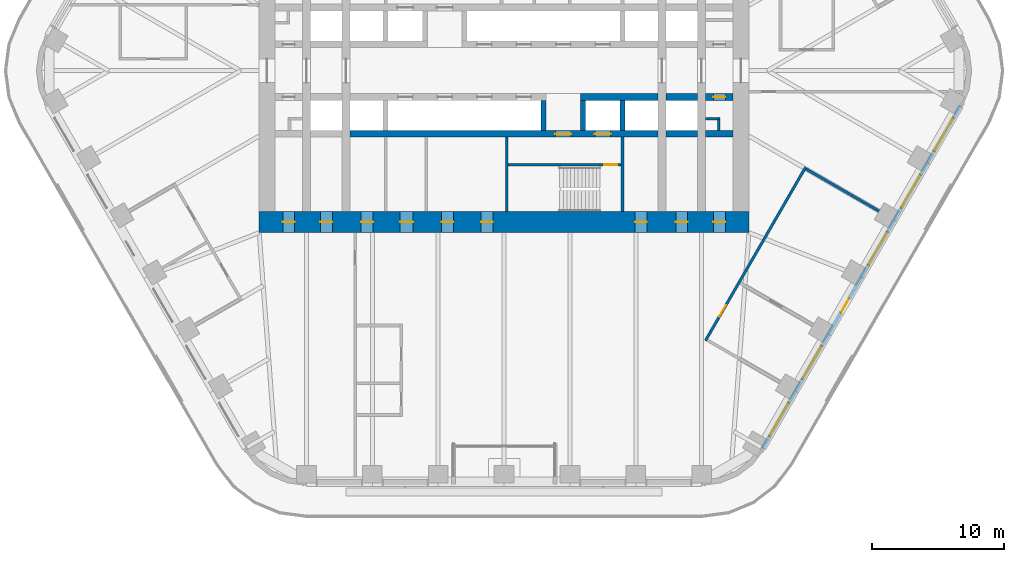
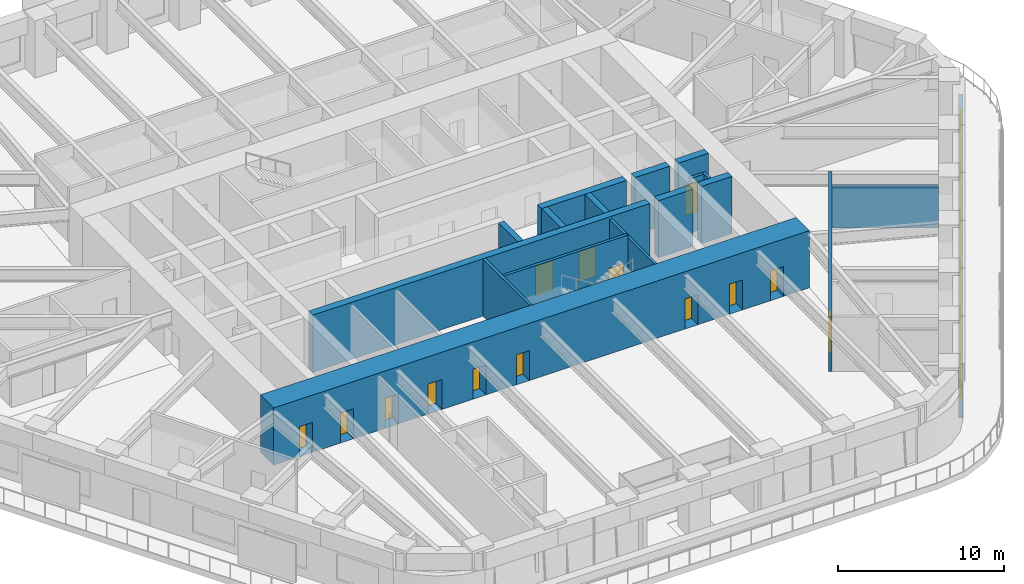
# One storey, part 18 of 24: 18 walls, 15 doors, 5 windows, 20 openings.
"""IFC4 building model written with IfcOpenShell, lengths in metres."""

from ifc_helpers import new_model, si_unit, direction, frame, frame_2d, origin, place, context, subcontext, project, spatial, rectangle, extrude, material, layer, layer_set, type_object, element, fill, save


model = new_model("IFC4")

# Units and contexts
model_context = context("Model", 3, precision=1e-05, world=origin(), true_north=direction((0.0, 1.0)))
body_context = subcontext(model_context, "Body", "Model", "MODEL_VIEW")
ifc_project = project(units=[si_unit("LENGTHUNIT", "METRE"), si_unit("AREAUNIT", "SQUARE_METRE"), si_unit("VOLUMEUNIT", "CUBIC_METRE"), si_unit("PLANEANGLEUNIT", "RADIAN"), si_unit("MASSUNIT", "GRAM", prefix="KILO")], contexts=[model_context])

# Site, building, storey
site_placement = place(None, origin())
site = spatial("IfcSite", under=ifc_project, at=site_placement, CompositionType="ELEMENT")
building_placement = place(site_placement, origin())
building = spatial("IfcBuilding", under=site, at=building_placement, Name="Tarfa Lantern Tower", CompositionType="ELEMENT")
storey_placement = place(building_placement, frame((0.0, 0.0, 186.699951171875)))
storey = spatial("IfcBuildingStorey", under=building, at=storey_placement, Name="L42", CompositionType="ELEMENT", Elevation=186.699951171875)

# Wall, openings, door, windows
ifc_material_1 = material(Name="Limestone cladding on blockwork", Category="masonry")
ifc_layer_1 = layer(ifc_material_1, 0.300048828125)
ifc_layer_set_1 = layer_set([ifc_layer_1], Name="EW1 STONE-CLAD WALL 300")
wall_type_1 = type_object("IfcWallType", Name="EW1 STONE-CLAD WALL 300", PredefinedType="SOLIDWALL", material=ifc_layer_set_1)
wall_1_placement = place(storey_placement, frame((19.644287109375, -28.675048828125, 0.0), z_axis=(0.0, 0.0, 1.0), x_axis=(0.500003084452, 0.866023622968, 0.0)))
wall_1 = element("IfcWall", 1, at=wall_1_placement, inside=storey, type_object=wall_type_1, Name="Stone wall SE", PredefinedType="SOLIDWALL", context=body_context, shape_type="SweptSolid", body=[
    extrude(rectangle(XDim=30.022216796875, YDim=0.300048828125, at=frame_2d((15.01123046875, 0.0))), origin(), (0.0, 0.0, 1.0), 2.75),
])
opening_1_placement = place(wall_1_placement, frame((1.0517578125, 0.0, 0.60009765625)))
opening_1 = element("IfcOpeningElement", 2, at=opening_1_placement, cuts=wall_1, Name="Opening W9", PredefinedType="OPENING", context=body_context, shape_type="SweptSolid", body=[
    extrude(rectangle(XDim=2.89990234375, YDim=1.89990234375, at=frame_2d((1.449951171875, 0.949951171875))), frame((0.0, 0.159912109375, 0.0), z_axis=(0.0, -1.0, 0.0), x_axis=(1.0, 0.0, 0.0)), (0.0, 0.0, 1.0), 0.320068359375),
])
opening_2_placement = place(wall_1_placement, frame((6.0556640625, 0.0, 0.60009765625)))
opening_2 = element("IfcOpeningElement", 3, at=opening_2_placement, cuts=wall_1, Name="Opening W9", PredefinedType="OPENING", context=body_context, shape_type="SweptSolid", body=[
    extrude(rectangle(XDim=2.89990234375, YDim=1.89990234375, at=frame_2d((1.449951171875, 0.949951171875))), frame((0.0, 0.159912109375, 0.0), z_axis=(0.0, -1.0, 0.0), x_axis=(1.0, 0.0, 0.0)), (0.0, 0.0, 1.0), 0.320068359375),
])
opening_3_placement = place(wall_1_placement, frame((11.9091796875, 0.0, 0.0)))
opening_3 = element("IfcOpeningElement", 4, at=opening_3_placement, cuts=wall_1, Name="Opening D51", PredefinedType="OPENING", context=body_context, shape_type="SweptSolid", body=[
    extrude(rectangle(XDim=1.199951171875, YDim=2.39990234375, at=frame_2d((0.60009765625, 1.199951171875))), frame((0.0, 0.159912109375, 0.0), z_axis=(0.0, -1.0, 0.0), x_axis=(1.0, 0.0, 0.0)), (0.0, 0.0, 1.0), 0.320068359375),
])
opening_4_placement = place(wall_1_placement, frame((16.06298828125, 0.0, 0.60009765625)))
opening_4 = element("IfcOpeningElement", 5, at=opening_4_placement, cuts=wall_1, Name="Opening W9", PredefinedType="OPENING", context=body_context, shape_type="SweptSolid", body=[
    extrude(rectangle(XDim=2.89990234375, YDim=1.89990234375, at=frame_2d((1.449951171875, 0.949951171875))), frame((0.0, 0.159912109375, 0.0), z_axis=(0.0, -1.0, 0.0), x_axis=(1.0, 0.0, 0.0)), (0.0, 0.0, 1.0), 0.320068359375),
])
opening_5_placement = place(wall_1_placement, frame((21.066650390625, 0.0, 0.60009765625)))
opening_5 = element("IfcOpeningElement", 6, at=opening_5_placement, cuts=wall_1, Name="Opening W9", PredefinedType="OPENING", context=body_context, shape_type="SweptSolid", body=[
    extrude(rectangle(XDim=2.89990234375, YDim=1.89990234375, at=frame_2d((1.449951171875, 0.949951171875))), frame((0.0, 0.159912109375, 0.0), z_axis=(0.0, -1.0, 0.0), x_axis=(1.0, 0.0, 0.0)), (0.0, 0.0, 1.0), 0.320068359375),
])
opening_6_placement = place(wall_1_placement, frame((26.0703125, 0.0, 0.60009765625)))
opening_6 = element("IfcOpeningElement", 7, at=opening_6_placement, cuts=wall_1, Name="Opening W9", PredefinedType="OPENING", context=body_context, shape_type="SweptSolid", body=[
    extrude(rectangle(XDim=2.89990234375, YDim=1.89990234375, at=frame_2d((1.449951171875, 0.949951171875))), frame((0.0, 0.159912109375, 0.0), z_axis=(0.0, -1.0, 0.0), x_axis=(1.0, 0.0, 0.0)), (0.0, 0.0, 1.0), 0.320068359375),
])
ifc_material_2 = material(Name="Aluminium framed glazed door", Category="aluminium")
door_type_1 = type_object("IfcDoorType", Name="BE3 BALCONY DOOR 1200x2400", OperationType="SINGLE_SWING_RIGHT", PredefinedType="DOOR", material=ifc_material_2)
door_1_placement = place(opening_3_placement, origin())
door_1 = element("IfcDoor", 8, at=door_1_placement, inside=storey, type_object=door_type_1, Name="Balcony door SE", OperationType="SINGLE_SWING_RIGHT", OverallHeight=2.39990234375, OverallWidth=1.199951171875, PredefinedType="DOOR", context=body_context, shape_type="SweptSolid", body=[
    extrude(rectangle(XDim=1.199951171875, YDim=2.39990234375, at=frame_2d((0.60009765625, 1.199951171875))), frame((0.0, 0.02490234375, 0.0), z_axis=(0.0, -1.0, 0.0), x_axis=(1.0, 0.0, 0.0)), (0.0, 0.0, 1.0), 0.050048828125),
])
fill(opening_3, door_1)
ifc_material_3 = material(Name="Aluminium frame, double glazed", Category="aluminium")
window_type = type_object("IfcWindowType", Name="W9 FULL-HEIGHT GLAZING 2900x1900", PartitioningType="SINGLE_PANEL", PredefinedType="WINDOW", material=ifc_material_3)
window_1_placement = place(opening_1_placement, origin())
window_1 = element("IfcWindow", 9, at=window_1_placement, inside=storey, type_object=window_type, Name="Window SE 1", OverallHeight=1.89990234375, OverallWidth=2.89990234375, PartitioningType="SINGLE_PANEL", PredefinedType="WINDOW", context=body_context, shape_type="SweptSolid", body=[
    extrude(rectangle(XDim=2.89990234375, YDim=1.89990234375, at=frame_2d((1.449951171875, 0.949951171875))), frame((0.0, 0.030029296875, 0.0), z_axis=(0.0, -1.0, 0.0), x_axis=(1.0, 0.0, 0.0)), (0.0, 0.0, 1.0), 0.06005859375),
])
fill(opening_1, window_1)
window_2_placement = place(opening_2_placement, origin())
window_2 = element("IfcWindow", 10, at=window_2_placement, inside=storey, type_object=window_type, Name="Window SE 2", OverallHeight=1.89990234375, OverallWidth=2.89990234375, PartitioningType="SINGLE_PANEL", PredefinedType="WINDOW", context=body_context, shape_type="SweptSolid", body=[
    extrude(rectangle(XDim=2.89990234375, YDim=1.89990234375, at=frame_2d((1.449951171875, 0.949951171875))), frame((0.0, 0.030029296875, 0.0), z_axis=(0.0, -1.0, 0.0), x_axis=(1.0, 0.0, 0.0)), (0.0, 0.0, 1.0), 0.06005859375),
])
fill(opening_2, window_2)
window_3_placement = place(opening_4_placement, origin())
window_3 = element("IfcWindow", 11, at=window_3_placement, inside=storey, type_object=window_type, Name="Window SE 4", OverallHeight=1.89990234375, OverallWidth=2.89990234375, PartitioningType="SINGLE_PANEL", PredefinedType="WINDOW", context=body_context, shape_type="SweptSolid", body=[
    extrude(rectangle(XDim=2.89990234375, YDim=1.89990234375, at=frame_2d((1.449951171875, 0.949951171875))), frame((0.0, 0.030029296875, 0.0), z_axis=(0.0, -1.0, 0.0), x_axis=(1.0, 0.0, 0.0)), (0.0, 0.0, 1.0), 0.06005859375),
])
fill(opening_4, window_3)
window_4_placement = place(opening_5_placement, origin())
window_4 = element("IfcWindow", 12, at=window_4_placement, inside=storey, type_object=window_type, Name="Window SE 5", OverallHeight=1.89990234375, OverallWidth=2.89990234375, PartitioningType="SINGLE_PANEL", PredefinedType="WINDOW", context=body_context, shape_type="SweptSolid", body=[
    extrude(rectangle(XDim=2.89990234375, YDim=1.89990234375, at=frame_2d((1.449951171875, 0.949951171875))), frame((0.0, 0.030029296875, 0.0), z_axis=(0.0, -1.0, 0.0), x_axis=(1.0, 0.0, 0.0)), (0.0, 0.0, 1.0), 0.06005859375),
])
fill(opening_5, window_4)
window_5_placement = place(opening_6_placement, origin())
window_5 = element("IfcWindow", 13, at=window_5_placement, inside=storey, type_object=window_type, Name="Window SE 6", OverallHeight=1.89990234375, OverallWidth=2.89990234375, PartitioningType="SINGLE_PANEL", PredefinedType="WINDOW", context=body_context, shape_type="SweptSolid", body=[
    extrude(rectangle(XDim=2.89990234375, YDim=1.89990234375, at=frame_2d((1.449951171875, 0.949951171875))), frame((0.0, 0.030029296875, 0.0), z_axis=(0.0, -1.0, 0.0), x_axis=(1.0, 0.0, 0.0)), (0.0, 0.0, 1.0), 0.06005859375),
])
fill(opening_6, window_5)

# Walls
ifc_material_4 = material(Name="Concrete blockwork", Category="masonry")
ifc_layer_2 = layer(ifc_material_4, 0.199951171875)
ifc_layer_set_2 = layer_set([ifc_layer_2], Name="IW1 BLOCKWORK PARTITION 200 EI 120")
wall_type_2 = type_object("IfcWallType", Name="IW1 BLOCKWORK PARTITION 200 EI 120", PredefinedType="PARTITIONING", material=ifc_layer_set_2)
wall_2_placement = place(storey_placement, frame((9.0, -5.050048828125, 0.0), z_axis=(0.0, 0.0, 1.0), x_axis=(0.0, -1.0, 0.0)))
element("IfcWall", 14, at=wall_2_placement, inside=storey, type_object=wall_type_2, Name="Core partition", PredefinedType="PARTITIONING", context=body_context, shape_type="SweptSolid", body=[
    extrude(rectangle(XDim=5.64990234375, YDim=0.199951171875, at=frame_2d((2.824951171875, 0.0))), origin(), (0.0, 0.0, 1.0), 4.0),
])
for number, where, z_axis, x_axis, name in (
    (15, (16.300048828125, -3.64990234375, 0.0), (0.0, 0.0, 1.0), (-1.0, 0.0, 0.0), "Core partition"),
    (16, (16.300048828125, -3.550048828125, 0.0), (0.0, 0.0, 1.0), (0.0, -1.0, 0.0), "Core partition"),
):
    element("IfcWall", number, at=place(storey_placement, frame(where, z_axis=z_axis, x_axis=x_axis)), inside=storey, type_object=wall_type_2, Name=name, PredefinedType="PARTITIONING", context=body_context, shape_type="SweptSolid", body=[
        extrude(rectangle(XDim=1.0, YDim=0.199951171875, at=frame_2d((0.5, 0.0))), origin(), (0.0, 0.0, 1.0), 4.0),
    ])

# Wall, opening, door
ifc_material_5 = material(Name="Gypsum board on steel studs", Category="steel")
ifc_layer_3 = layer(ifc_material_5, 0.2099609375)
ifc_layer_set_3 = layer_set([ifc_layer_3], Name="IW2 ACOUSTIC PARTITION 200")
wall_type_3 = type_object("IfcWallType", Name="IW2 ACOUSTIC PARTITION 200", PredefinedType="PARTITIONING", material=ifc_layer_set_3)
wall_3_placement = place(storey_placement, frame((15.2978515625, -20.503173828125, 0.0), z_axis=(0.0, 0.0, 1.0), x_axis=(0.500010972563, 0.86601906868, 0.0)))
wall_3 = element("IfcWall", 17, at=wall_3_placement, inside=storey, type_object=wall_type_3, Name="Partition", PredefinedType="PARTITIONING", context=body_context, shape_type="SweptSolid", body=[
    extrude(rectangle(XDim=15.211181640625, YDim=0.199951171875, at=frame_2d((7.60546875, 0.0))), origin(), (0.0, 0.0, 1.0), 4.0),
])
opening_7_placement = place(wall_3_placement, frame((2.101806640625, 0.0, 0.0)))
opening_7 = element("IfcOpeningElement", 18, at=opening_7_placement, cuts=wall_3, Name="Opening D38", PredefinedType="OPENING", context=body_context, shape_type="SweptSolid", body=[
    extrude(rectangle(XDim=1.0, YDim=2.199951171875, at=frame_2d((0.5, 1.10009765625))), frame((0.0, 0.10986328125, 0.0), z_axis=(0.0, -1.0, 0.0), x_axis=(1.0, 0.0, 0.0)), (0.0, 0.0, 1.0), 0.219970703125),
])
ifc_material_6 = material(Name="Timber door", Category="wood")
door_type_2 = type_object("IfcDoorType", Name="DR1 ROOM DOOR 1000x2200", OperationType="SINGLE_SWING_LEFT", PredefinedType="DOOR", material=ifc_material_6)
door_2_placement = place(opening_7_placement, frame((1.0, 0.0, 0.0), z_axis=(0.0, 0.0, 1.0), x_axis=(-1.0, 0.0, 0.0)))
door_2 = element("IfcDoor", 19, at=door_2_placement, inside=storey, type_object=door_type_2, Name="Visitor reception door", OperationType="SINGLE_SWING_LEFT", OverallHeight=2.199951171875, OverallWidth=1.0, PredefinedType="DOOR", context=body_context, shape_type="SweptSolid", body=[
    extrude(rectangle(XDim=1.0, YDim=2.199951171875, at=frame_2d((0.5, 1.10009765625))), frame((0.0, 0.02490234375, 0.0), z_axis=(0.0, -1.0, 0.0), x_axis=(1.0, 0.0, 0.0)), (0.0, 0.0, 1.0), 0.050048828125),
])
fill(opening_7, door_2)

# Walls
wall_4_placement = place(storey_placement, frame((22.93994140625, -7.466552734375, 0.0), z_axis=(0.0, 0.0, 1.0), x_axis=(0.866018518567, -0.500011925357, 0.0)))
element("IfcWall", 20, at=wall_4_placement, inside=storey, type_object=wall_type_3, Name="Partition", PredefinedType="PARTITIONING", context=body_context, shape_type="SweptSolid", body=[
    extrude(rectangle(XDim=6.400146484375, YDim=0.199951171875, at=frame_2d((3.2001953125, 0.0))), origin(), (0.0, 0.0, 1.0), 3.08154296875),
])
ifc_material_7 = material(Name="Concrete C80/95", Category="concrete")
ifc_layer_4 = layer(ifc_material_7, 0.199951171875)
ifc_layer_set_4 = layer_set([ifc_layer_4], Name="SW12 CORE WALL 200")
wall_type_4 = type_object("IfcWallType", Name="SW12 CORE WALL 200", PredefinedType="SHEAR", material=ifc_layer_set_4)
wall_5_placement = place(storey_placement, frame((0.199951171875, -5.050048828125, 0.0), z_axis=(0.0, 0.0, 1.0), x_axis=(0.0, -1.0, 0.0)))
element("IfcWall", 21, at=wall_5_placement, inside=storey, type_object=wall_type_4, Name="Core wall stair shaft S", PredefinedType="SHEAR", context=body_context, shape_type="SweptSolid", body=[
    extrude(rectangle(XDim=5.64990234375, YDim=0.199951171875, at=frame_2d((2.824951171875, 0.0))), origin(), (0.0, 0.0, 1.0), 4.199951171875),
])

# Wall, opening, door
wall_6_placement = place(storey_placement, frame((8.89990234375, -7.14990234375, 0.0), z_axis=(0.0, 0.0, 1.0), x_axis=(-1.0, 0.0, 0.0)))
wall_6 = element("IfcWall", 22, at=wall_6_placement, inside=storey, type_object=wall_type_4, Name="Core wall stair partition S", PredefinedType="SHEAR", context=body_context, shape_type="SweptSolid", body=[
    extrude(rectangle(XDim=8.599853515625, YDim=0.199951171875, at=frame_2d((4.2998046875, 0.0))), origin(), (0.0, 0.0, 1.0), 4.199951171875),
])
opening_8_placement = place(wall_6_placement, frame((0.300048828125, 0.0, 0.0)))
opening_8 = element("IfcOpeningElement", 23, at=opening_8_placement, cuts=wall_6, Name="Opening D28", PredefinedType="OPENING", context=body_context, shape_type="SweptSolid", body=[
    extrude(rectangle(XDim=1.0, YDim=2.199951171875, at=frame_2d((0.5, 1.10009765625))), frame((0.0, 0.10986328125, 0.0), z_axis=(0.0, -1.0, 0.0), x_axis=(1.0, 0.0, 0.0)), (0.0, 0.0, 1.0), 0.219970703125),
])
ifc_material_8 = material(Name="Steel fire door", Category="steel")
door_type_3 = type_object("IfcDoorType", Name="DF2 STAIR DOOR 1000x2200", OperationType="SINGLE_SWING_LEFT", PredefinedType="DOOR", material=ifc_material_8)
door_3_placement = place(opening_8_placement, origin())
door_3 = element("IfcDoor", 24, at=door_3_placement, inside=storey, type_object=door_type_3, Name="Stair door", OperationType="SINGLE_SWING_RIGHT", OverallHeight=2.199951171875, OverallWidth=1.0, PredefinedType="DOOR", context=body_context, shape_type="SweptSolid", body=[
    extrude(rectangle(XDim=1.0, YDim=2.199951171875, at=frame_2d((0.5, 1.10009765625))), frame((0.0, 0.02490234375, 0.0), z_axis=(0.0, -1.0, 0.0), x_axis=(1.0, 0.0, 0.0)), (0.0, 0.0, 1.0), 0.050048828125),
])
fill(opening_8, door_3)

ifc_layer_5 = layer(ifc_material_7, 0.5)
ifc_layer_set_5 = layer_set([ifc_layer_5], Name="SW5 CORE WALL 500")
wall_type_5 = type_object("IfcWallType", Name="SW5 CORE WALL 500", PredefinedType="SHEAR", material=ifc_layer_set_5)
wall_7_placement = place(storey_placement, frame((17.39990234375, -2.0, 0.0), z_axis=(0.0, 0.0, 1.0), x_axis=(-1.0, 0.0, 0.0)))
wall_7 = element("IfcWall", 25, at=wall_7_placement, inside=storey, type_object=wall_type_5, Name="Core wall lobby west S", PredefinedType="SHEAR", context=body_context, shape_type="SweptSolid", body=[
    extrude(rectangle(XDim=2.099853515625, YDim=0.5, at=frame_2d((1.0498046875, 0.0))), origin(), (0.0, 0.0, 1.0), 4.199951171875),
])
opening_9_placement = place(wall_7_placement, frame((0.60009765625, 0.0, 0.0)))
opening_9 = element("IfcOpeningElement", 26, at=opening_9_placement, cuts=wall_7, Name="Opening D20", PredefinedType="OPENING", context=body_context, shape_type="SweptSolid", body=[
    extrude(rectangle(XDim=0.89990234375, YDim=2.199951171875, at=frame_2d((0.449951171875, 1.10009765625))), frame((0.0, 0.260009765625, 0.0), z_axis=(0.0, -1.0, 0.0), x_axis=(1.0, 0.0, 0.0)), (0.0, 0.0, 1.0), 0.52001953125),
])
door_type_4 = type_object("IfcDoorType", Name="DF6 SERVICE ROOM DOOR 900x2200", OperationType="SINGLE_SWING_LEFT", PredefinedType="DOOR", material=ifc_material_8)
door_4_placement = place(opening_9_placement, origin())
door_4 = element("IfcDoor", 27, at=door_4_placement, inside=storey, type_object=door_type_4, Name="Service room door", OperationType="SINGLE_SWING_LEFT", OverallHeight=2.199951171875, OverallWidth=0.89990234375, PredefinedType="DOOR", context=body_context, shape_type="SweptSolid", body=[
    extrude(rectangle(XDim=0.89990234375, YDim=2.199951171875, at=frame_2d((0.449951171875, 1.10009765625))), frame((0.0, 0.02490234375, 0.0), z_axis=(0.0, -1.0, 0.0), x_axis=(1.0, 0.0, 0.0)), (0.0, 0.0, 1.0), 0.050048828125),
])
fill(opening_9, door_4)

# Walls
wall_8_placement = place(storey_placement, frame((14.699951171875, -2.0, 0.0), z_axis=(0.0, 0.0, 1.0), x_axis=(-1.0, 0.0, 0.0)))
element("IfcWall", 28, at=wall_8_placement, inside=storey, type_object=wall_type_5, Name="Core wall lobby west S", PredefinedType="SHEAR", context=body_context, shape_type="SweptSolid", body=[
    extrude(rectangle(XDim=2.39990234375, YDim=0.5, at=frame_2d((1.199951171875, 0.0))), origin(), (0.0, 0.0, 1.0), 4.199951171875),
])
wall_9_placement = place(storey_placement, frame((11.699951171875, -2.0, 0.0), z_axis=(0.0, 0.0, 1.0), x_axis=(-1.0, 0.0, 0.0)))
element("IfcWall", 29, at=wall_9_placement, inside=storey, type_object=wall_type_5, Name="Core wall lobby west S", PredefinedType="SHEAR", context=body_context, shape_type="SweptSolid", body=[
    extrude(rectangle(XDim=5.89990234375, YDim=0.5, at=frame_2d((2.949951171875, 0.0))), origin(), (0.0, 0.0, 1.0), 4.199951171875),
])
wall_10_placement = place(storey_placement, frame((17.39990234375, -4.800048828125, 0.0), z_axis=(0.0, 0.0, 1.0), x_axis=(-1.0, 0.0, 0.0)))
element("IfcWall", 30, at=wall_10_placement, inside=storey, type_object=wall_type_5, Name="Core wall rear S", PredefinedType="SHEAR", context=body_context, shape_type="SweptSolid", body=[
    extrude(rectangle(XDim=2.099853515625, YDim=0.5, at=frame_2d((1.0498046875, 0.0))), origin(), (0.0, 0.0, 1.0), 4.199951171875),
])
wall_11_placement = place(storey_placement, frame((14.699951171875, -4.800048828125, 0.0), z_axis=(0.0, 0.0, 1.0), x_axis=(-1.0, 0.0, 0.0)))
element("IfcWall", 31, at=wall_11_placement, inside=storey, type_object=wall_type_5, Name="Core wall rear S", PredefinedType="SHEAR", context=body_context, shape_type="SweptSolid", body=[
    extrude(rectangle(XDim=2.39990234375, YDim=0.5, at=frame_2d((1.199951171875, 0.0))), origin(), (0.0, 0.0, 1.0), 4.199951171875),
])

# Wall, openings, doors
wall_12_placement = place(storey_placement, frame((11.699951171875, -4.800048828125, 0.0), z_axis=(0.0, 0.0, 1.0), x_axis=(-1.0, 0.0, 0.0)))
wall_12 = element("IfcWall", 32, at=wall_12_placement, inside=storey, type_object=wall_type_5, Name="Core wall rear S", PredefinedType="SHEAR", context=body_context, shape_type="SweptSolid", body=[
    extrude(rectangle(XDim=23.39990234375, YDim=0.5, at=frame_2d((11.699951171875, 0.0))), origin(), (0.0, 0.0, 1.0), 4.199951171875),
])
opening_10_placement = place(wall_12_placement, frame((6.60009765625, 0.0, 0.0)))
opening_10 = element("IfcOpeningElement", 33, at=opening_10_placement, cuts=wall_12, Name="Opening D14", PredefinedType="OPENING", context=body_context, shape_type="SweptSolid", body=[
    extrude(rectangle(XDim=1.199951171875, YDim=2.199951171875, at=frame_2d((0.60009765625, 1.10009765625))), frame((0.0, 0.260009765625, 0.0), z_axis=(0.0, -1.0, 0.0), x_axis=(1.0, 0.0, 0.0)), (0.0, 0.0, 1.0), 0.52001953125),
])
opening_11_placement = place(wall_12_placement, frame((3.60009765625, 0.0, 0.0)))
opening_11 = element("IfcOpeningElement", 34, at=opening_11_placement, cuts=wall_12, Name="Opening LD02", PredefinedType="OPENING", context=body_context, shape_type="SweptSolid", body=[
    extrude(rectangle(XDim=1.199951171875, YDim=2.199951171875, at=frame_2d((0.60009765625, 1.10009765625))), frame((0.0, 0.260009765625, 0.0), z_axis=(0.0, -1.0, 0.0), x_axis=(1.0, 0.0, 0.0)), (0.0, 0.0, 1.0), 0.52001953125),
])
door_type_5 = type_object("IfcDoorType", Name="DF1 FIREFIGHTING LOBBY DOOR 1200x2200", OperationType="SINGLE_SWING_LEFT", PredefinedType="DOOR", material=ifc_material_8)
door_5_placement = place(opening_10_placement, origin())
door_5 = element("IfcDoor", 35, at=door_5_placement, inside=storey, type_object=door_type_5, Name="Firefighting lobby door", OperationType="SINGLE_SWING_LEFT", OverallHeight=2.199951171875, OverallWidth=1.199951171875, PredefinedType="DOOR", context=body_context, shape_type="SweptSolid", body=[
    extrude(rectangle(XDim=1.199951171875, YDim=2.199951171875, at=frame_2d((0.60009765625, 1.10009765625))), frame((0.0, 0.02490234375, 0.0), z_axis=(0.0, -1.0, 0.0), x_axis=(1.0, 0.0, 0.0)), (0.0, 0.0, 1.0), 0.050048828125),
])
fill(opening_10, door_5)
ifc_material_9 = material(Name="Stainless steel lift door", Category="steel")
door_type_6 = type_object("IfcDoorType", Name="LD1 LIFT LANDING DOOR 1200x2200", OperationType="SLIDING_TO_LEFT", PredefinedType="DOOR", material=ifc_material_9)
door_6_placement = place(opening_11_placement, origin())
door_6 = element("IfcDoor", 36, at=door_6_placement, inside=storey, type_object=door_type_6, Name="Landing door FL2", OperationType="SLIDING_TO_LEFT", OverallHeight=2.199951171875, OverallWidth=1.199951171875, PredefinedType="DOOR", context=body_context, shape_type="SweptSolid", body=[
    extrude(rectangle(XDim=1.199951171875, YDim=2.199951171875, at=frame_2d((0.60009765625, 1.10009765625))), frame((0.0, 0.02490234375, 0.0), z_axis=(0.0, -1.0, 0.0), x_axis=(1.0, 0.0, 0.0)), (0.0, 0.0, 1.0), 0.050048828125),
])
fill(opening_11, door_6)

# Walls
ifc_layer_6 = layer(ifc_material_7, 0.39990234375)
ifc_layer_set_6 = layer_set([ifc_layer_6], Name="SW6 CORE WALL 400")
wall_type_6 = type_object("IfcWallType", Name="SW6 CORE WALL 400", PredefinedType="SHEAR", material=ifc_layer_set_6)
for number, where, z_axis, x_axis, name in (
    (37, (9.0, -2.25, 0.0), (0.0, 0.0, 1.0), (0.0, -1.0, 0.0), "Core wall divider S"),
    (38, (6.0, -2.25, 0.0), (0.0, 0.0, 1.0), (0.0, -1.0, 0.0), "Core wall divider S"),
    (39, (3.0, -2.25, 0.0), (0.0, 0.0, 1.0), (0.0, -1.0, 0.0), "Core wall divider S"),
):
    element("IfcWall", number, at=place(storey_placement, frame(where, z_axis=z_axis, x_axis=x_axis)), inside=storey, type_object=wall_type_6, Name=name, PredefinedType="SHEAR", context=body_context, shape_type="SweptSolid", body=[
        extrude(rectangle(XDim=2.300048828125, YDim=0.39990234375, at=frame_2d((1.14990234375, 0.0))), origin(), (0.0, 0.0, 1.0), 4.199951171875),
    ])

# Wall, openings, doors
ifc_layer_7 = layer(ifc_material_7, 1.60009765625)
ifc_layer_set_7 = layer_set([ifc_layer_7], Name="SW7 CORE WALL 1600")
wall_type_7 = type_object("IfcWallType", Name="SW7 CORE WALL 1600", PredefinedType="SHEAR", material=ifc_layer_set_7)
wall_13_placement = place(storey_placement, frame((18.60009765625, -11.5, 0.0), z_axis=(0.0, 0.0, 1.0), x_axis=(-1.0, 0.0, 0.0)))
wall_13 = element("IfcWall", 40, at=wall_13_placement, inside=storey, type_object=wall_type_7, Name="Core wall S", PredefinedType="SHEAR", context=body_context, shape_type="SweptSolid", body=[
    extrude(rectangle(XDim=37.2001953125, YDim=1.60009765625, at=frame_2d((18.60009765625, 0.0))), origin(), (0.0, 0.0, 1.0), 4.199951171875),
])
opening_12_placement = place(wall_13_placement, frame((19.449951171875, 0.0, 0.0)))
opening_12 = element("IfcOpeningElement", 41, at=opening_12_placement, cuts=wall_13, Name="Opening D22", PredefinedType="OPENING", context=body_context, shape_type="SweptSolid", body=[
    extrude(rectangle(XDim=0.89990234375, YDim=2.199951171875, at=frame_2d((0.449951171875, 1.10009765625))), frame((0.0, 0.81005859375, 0.0), z_axis=(0.0, -1.0, 0.0), x_axis=(1.0, 0.0, 0.0)), (0.0, 0.0, 1.0), 1.6201171875),
])
opening_13_placement = place(wall_13_placement, frame((22.449951171875, 0.0, 0.0)))
opening_13 = element("IfcOpeningElement", 42, at=opening_13_placement, cuts=wall_13, Name="Opening D24", PredefinedType="OPENING", context=body_context, shape_type="SweptSolid", body=[
    extrude(rectangle(XDim=0.89990234375, YDim=2.199951171875, at=frame_2d((0.449951171875, 1.10009765625))), frame((0.0, 0.81005859375, 0.0), z_axis=(0.0, -1.0, 0.0), x_axis=(1.0, 0.0, 0.0)), (0.0, 0.0, 1.0), 1.6201171875),
])
opening_14_placement = place(wall_13_placement, frame((25.5, 0.0, 0.0)))
opening_14 = element("IfcOpeningElement", 43, at=opening_14_placement, cuts=wall_13, Name="Opening D26", PredefinedType="OPENING", context=body_context, shape_type="SweptSolid", body=[
    extrude(rectangle(XDim=1.0, YDim=2.199951171875, at=frame_2d((0.5, 1.10009765625))), frame((0.0, 0.81005859375, 0.0), z_axis=(0.0, -1.0, 0.0), x_axis=(1.0, 0.0, 0.0)), (0.0, 0.0, 1.0), 1.6201171875),
])
opening_15_placement = place(wall_13_placement, frame((1.800048828125, 0.0, 0.0)))
opening_15 = element("IfcOpeningElement", 44, at=opening_15_placement, cuts=wall_13, Name="Opening D12", PredefinedType="OPENING", context=body_context, shape_type="SweptSolid", body=[
    extrude(rectangle(XDim=0.89990234375, YDim=2.199951171875, at=frame_2d((0.449951171875, 1.10009765625))), frame((0.0, 0.81005859375, 0.0), z_axis=(0.0, -1.0, 0.0), x_axis=(1.0, 0.0, 0.0)), (0.0, 0.0, 1.0), 1.6201171875),
])
opening_16_placement = place(wall_13_placement, frame((4.64990234375, 0.0, 0.0)))
opening_16 = element("IfcOpeningElement", 45, at=opening_16_placement, cuts=wall_13, Name="Opening D08", PredefinedType="OPENING", context=body_context, shape_type="SweptSolid", body=[
    extrude(rectangle(XDim=0.89990234375, YDim=2.199951171875, at=frame_2d((0.449951171875, 1.10009765625))), frame((0.0, 0.81005859375, 0.0), z_axis=(0.0, -1.0, 0.0), x_axis=(1.0, 0.0, 0.0)), (0.0, 0.0, 1.0), 1.6201171875),
])
opening_17_placement = place(wall_13_placement, frame((7.75, 0.0, 0.0)))
opening_17 = element("IfcOpeningElement", 46, at=opening_17_placement, cuts=wall_13, Name="Opening D10", PredefinedType="OPENING", context=body_context, shape_type="SweptSolid", body=[
    extrude(rectangle(XDim=0.89990234375, YDim=2.199951171875, at=frame_2d((0.449951171875, 1.10009765625))), frame((0.0, 0.81005859375, 0.0), z_axis=(0.0, -1.0, 0.0), x_axis=(1.0, 0.0, 0.0)), (0.0, 0.0, 1.0), 1.6201171875),
])
opening_18_placement = place(wall_13_placement, frame((28.550048828125, 0.0, 0.0)))
opening_18 = element("IfcOpeningElement", 47, at=opening_18_placement, cuts=wall_13, Name="Opening D06", PredefinedType="OPENING", context=body_context, shape_type="SweptSolid", body=[
    extrude(rectangle(XDim=0.89990234375, YDim=2.199951171875, at=frame_2d((0.449951171875, 1.10009765625))), frame((0.0, 0.81005859375, 0.0), z_axis=(0.0, -1.0, 0.0), x_axis=(1.0, 0.0, 0.0)), (0.0, 0.0, 1.0), 1.6201171875),
])
opening_19_placement = place(wall_13_placement, frame((31.64990234375, 0.0, 0.0)))
opening_19 = element("IfcOpeningElement", 48, at=opening_19_placement, cuts=wall_13, Name="Opening D02", PredefinedType="OPENING", context=body_context, shape_type="SweptSolid", body=[
    extrude(rectangle(XDim=0.89990234375, YDim=2.199951171875, at=frame_2d((0.449951171875, 1.10009765625))), frame((0.0, 0.81005859375, 0.0), z_axis=(0.0, -1.0, 0.0), x_axis=(1.0, 0.0, 0.0)), (0.0, 0.0, 1.0), 1.6201171875),
])
opening_20_placement = place(wall_13_placement, frame((34.5, 0.0, 0.0)))
opening_20 = element("IfcOpeningElement", 49, at=opening_20_placement, cuts=wall_13, Name="Opening D04", PredefinedType="OPENING", context=body_context, shape_type="SweptSolid", body=[
    extrude(rectangle(XDim=0.89990234375, YDim=2.199951171875, at=frame_2d((0.449951171875, 1.10009765625))), frame((0.0, 0.81005859375, 0.0), z_axis=(0.0, -1.0, 0.0), x_axis=(1.0, 0.0, 0.0)), (0.0, 0.0, 1.0), 1.6201171875),
])
door_type_7 = type_object("IfcDoorType", Name="DF3 CORE ROOM DOOR 900x2200", OperationType="SINGLE_SWING_LEFT", PredefinedType="DOOR", material=ifc_material_8)
door_7_placement = place(opening_12_placement, frame((0.89990234375, 0.0, 0.0), z_axis=(0.0, 0.0, 1.0), x_axis=(-1.0, 0.0, 0.0)))
door_7 = element("IfcDoor", 50, at=door_7_placement, inside=storey, type_object=door_type_7, Name="Core door", OperationType="SINGLE_SWING_LEFT", OverallHeight=2.199951171875, OverallWidth=0.89990234375, PredefinedType="DOOR", context=body_context, shape_type="SweptSolid", body=[
    extrude(rectangle(XDim=0.89990234375, YDim=2.199951171875, at=frame_2d((0.449951171875, 1.10009765625))), frame((0.0, 0.02490234375, 0.0), z_axis=(0.0, -1.0, 0.0), x_axis=(1.0, 0.0, 0.0)), (0.0, 0.0, 1.0), 0.050048828125),
])
fill(opening_12, door_7)
door_8_placement = place(opening_13_placement, frame((0.89990234375, 0.0, 0.0), z_axis=(0.0, 0.0, 1.0), x_axis=(-1.0, 0.0, 0.0)))
door_8 = element("IfcDoor", 51, at=door_8_placement, inside=storey, type_object=door_type_7, Name="Core door", OperationType="SINGLE_SWING_RIGHT", OverallHeight=2.199951171875, OverallWidth=0.89990234375, PredefinedType="DOOR", context=body_context, shape_type="SweptSolid", body=[
    extrude(rectangle(XDim=0.89990234375, YDim=2.199951171875, at=frame_2d((0.449951171875, 1.10009765625))), frame((0.0, 0.02490234375, 0.0), z_axis=(0.0, -1.0, 0.0), x_axis=(1.0, 0.0, 0.0)), (0.0, 0.0, 1.0), 0.050048828125),
])
fill(opening_13, door_8)
door_type_8 = type_object("IfcDoorType", Name="DF4 CORE ROOM DOOR 1000x2200", OperationType="SINGLE_SWING_LEFT", PredefinedType="DOOR", material=ifc_material_8)
door_9_placement = place(opening_14_placement, frame((1.0, 0.0, 0.0), z_axis=(0.0, 0.0, 1.0), x_axis=(-1.0, 0.0, 0.0)))
door_9 = element("IfcDoor", 52, at=door_9_placement, inside=storey, type_object=door_type_8, Name="Core door", OperationType="SINGLE_SWING_LEFT", OverallHeight=2.199951171875, OverallWidth=1.0, PredefinedType="DOOR", context=body_context, shape_type="SweptSolid", body=[
    extrude(rectangle(XDim=1.0, YDim=2.199951171875, at=frame_2d((0.5, 1.10009765625))), frame((0.0, 0.02490234375, 0.0), z_axis=(0.0, -1.0, 0.0), x_axis=(1.0, 0.0, 0.0)), (0.0, 0.0, 1.0), 0.050048828125),
])
fill(opening_14, door_9)
door_type_9 = type_object("IfcDoorType", Name="DF5 RISER DOOR 900x2200", OperationType="SINGLE_SWING_LEFT", PredefinedType="DOOR", material=ifc_material_8)
door_10_placement = place(opening_15_placement, frame((0.89990234375, 0.0, 0.0), z_axis=(0.0, 0.0, 1.0), x_axis=(-1.0, 0.0, 0.0)))
door_10 = element("IfcDoor", 53, at=door_10_placement, inside=storey, type_object=door_type_9, Name="Riser door", OperationType="SINGLE_SWING_LEFT", OverallHeight=2.199951171875, OverallWidth=0.89990234375, PredefinedType="DOOR", context=body_context, shape_type="SweptSolid", body=[
    extrude(rectangle(XDim=0.89990234375, YDim=2.199951171875, at=frame_2d((0.449951171875, 1.10009765625))), frame((0.0, 0.02490234375, 0.0), z_axis=(0.0, -1.0, 0.0), x_axis=(1.0, 0.0, 0.0)), (0.0, 0.0, 1.0), 0.050048828125),
])
fill(opening_15, door_10)
door_11_placement = place(opening_16_placement, frame((0.89990234375, 0.0, 0.0), z_axis=(0.0, 0.0, 1.0), x_axis=(-1.0, 0.0, 0.0)))
door_11 = element("IfcDoor", 54, at=door_11_placement, inside=storey, type_object=door_type_9, Name="Riser door", OperationType="SINGLE_SWING_LEFT", OverallHeight=2.199951171875, OverallWidth=0.89990234375, PredefinedType="DOOR", context=body_context, shape_type="SweptSolid", body=[
    extrude(rectangle(XDim=0.89990234375, YDim=2.199951171875, at=frame_2d((0.449951171875, 1.10009765625))), frame((0.0, 0.02490234375, 0.0), z_axis=(0.0, -1.0, 0.0), x_axis=(1.0, 0.0, 0.0)), (0.0, 0.0, 1.0), 0.050048828125),
])
fill(opening_16, door_11)
door_12_placement = place(opening_17_placement, frame((0.89990234375, 0.0, 0.0), z_axis=(0.0, 0.0, 1.0), x_axis=(-1.0, 0.0, 0.0)))
door_12 = element("IfcDoor", 55, at=door_12_placement, inside=storey, type_object=door_type_9, Name="Riser door", OperationType="SINGLE_SWING_LEFT", OverallHeight=2.199951171875, OverallWidth=0.89990234375, PredefinedType="DOOR", context=body_context, shape_type="SweptSolid", body=[
    extrude(rectangle(XDim=0.89990234375, YDim=2.199951171875, at=frame_2d((0.449951171875, 1.10009765625))), frame((0.0, 0.02490234375, 0.0), z_axis=(0.0, -1.0, 0.0), x_axis=(1.0, 0.0, 0.0)), (0.0, 0.0, 1.0), 0.050048828125),
])
fill(opening_17, door_12)
door_13_placement = place(opening_18_placement, frame((0.89990234375, 0.0, 0.0), z_axis=(0.0, 0.0, 1.0), x_axis=(-1.0, 0.0, 0.0)))
door_13 = element("IfcDoor", 56, at=door_13_placement, inside=storey, type_object=door_type_9, Name="Riser door", OperationType="SINGLE_SWING_RIGHT", OverallHeight=2.199951171875, OverallWidth=0.89990234375, PredefinedType="DOOR", context=body_context, shape_type="SweptSolid", body=[
    extrude(rectangle(XDim=0.89990234375, YDim=2.199951171875, at=frame_2d((0.449951171875, 1.10009765625))), frame((0.0, 0.02490234375, 0.0), z_axis=(0.0, -1.0, 0.0), x_axis=(1.0, 0.0, 0.0)), (0.0, 0.0, 1.0), 0.050048828125),
])
fill(opening_18, door_13)
door_14_placement = place(opening_19_placement, frame((0.89990234375, 0.0, 0.0), z_axis=(0.0, 0.0, 1.0), x_axis=(-1.0, 0.0, 0.0)))
door_14 = element("IfcDoor", 57, at=door_14_placement, inside=storey, type_object=door_type_9, Name="Riser door", OperationType="SINGLE_SWING_RIGHT", OverallHeight=2.199951171875, OverallWidth=0.89990234375, PredefinedType="DOOR", context=body_context, shape_type="SweptSolid", body=[
    extrude(rectangle(XDim=0.89990234375, YDim=2.199951171875, at=frame_2d((0.449951171875, 1.10009765625))), frame((0.0, 0.02490234375, 0.0), z_axis=(0.0, -1.0, 0.0), x_axis=(1.0, 0.0, 0.0)), (0.0, 0.0, 1.0), 0.050048828125),
])
fill(opening_19, door_14)
door_15_placement = place(opening_20_placement, frame((0.89990234375, 0.0, 0.0), z_axis=(0.0, 0.0, 1.0), x_axis=(-1.0, 0.0, 0.0)))
door_15 = element("IfcDoor", 58, at=door_15_placement, inside=storey, type_object=door_type_9, Name="Riser door", OperationType="SINGLE_SWING_RIGHT", OverallHeight=2.199951171875, OverallWidth=0.89990234375, PredefinedType="DOOR", context=body_context, shape_type="SweptSolid", body=[
    extrude(rectangle(XDim=0.89990234375, YDim=2.199951171875, at=frame_2d((0.449951171875, 1.10009765625))), frame((0.0, 0.02490234375, 0.0), z_axis=(0.0, -1.0, 0.0), x_axis=(1.0, 0.0, 0.0)), (0.0, 0.0, 1.0), 0.050048828125),
])
fill(opening_20, door_15)

save(model, "model.ifc")
